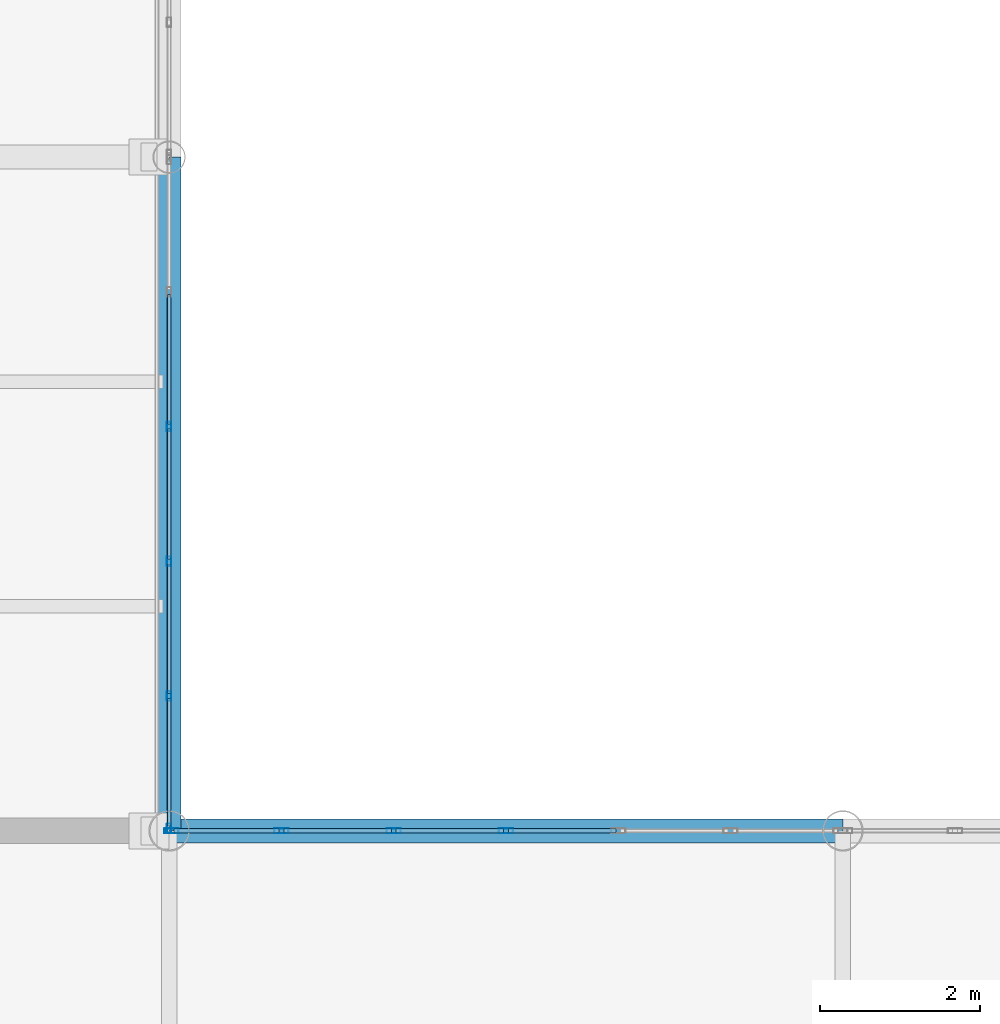
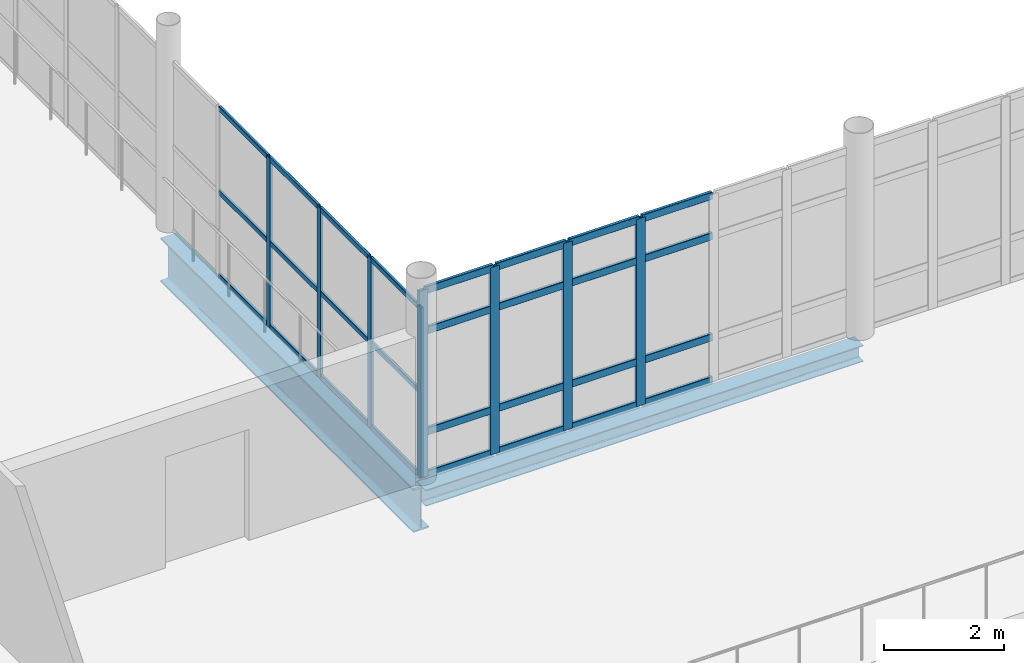
# One storey, part 46 of 163: 36 members, 2 beams, 2 elements without a shape of their own.
"""IFC4 building model written with IfcOpenShell, lengths in metres."""

from ifc_helpers import new_model, si_unit, direction, frame, origin, origin_2d, place, context, subcontext, project, spatial, hollow_rectangle, i_section, extrude, material, layer, layer_set, material_profile, profile_set, type_object, element, aggregate, save


model = new_model("IFC4")

# Units and contexts
model_context = context("Model", 3, precision=1e-05, world=origin(), true_north=direction((0.0, 1.0)))
body_context = subcontext(model_context, "Body", "Model", "MODEL_VIEW")
ifc_project = project(units=[si_unit("LENGTHUNIT", "METRE"), si_unit("AREAUNIT", "SQUARE_METRE"), si_unit("VOLUMEUNIT", "CUBIC_METRE"), si_unit("PLANEANGLEUNIT", "RADIAN"), si_unit("MASSUNIT", "GRAM", prefix="KILO")], contexts=[model_context])

# Site, building, storey
site_placement = place(None, origin())
site = spatial("IfcSite", under=ifc_project, at=site_placement, CompositionType="ELEMENT")
building_placement = place(site_placement, origin())
building = spatial("IfcBuilding", under=site, at=building_placement, Name="Qalvenar Corner Mobility Hub", CompositionType="ELEMENT")
storey_placement = place(building_placement, frame((0.0, 0.0, 4.800048828125)))
storey = spatial("IfcBuildingStorey", under=building, at=storey_placement, Name="L01", CompositionType="ELEMENT", Elevation=4.800048828125)

# Beams
ifc_material_1 = material(Name="Steel S355", Category="steel")
ifc_material_profile_1 = material_profile(ifc_material_1, i_section(OverallWidth=0.300048828125, OverallDepth=0.889892578125, WebThickness=0.01611328125, FlangeThickness=0.030029296875, FilletRadius=0.027099609375, at=origin_2d()), Name="HEA900")
ifc_profile_set_1 = profile_set([ifc_material_profile_1], Name="Steel S355")
beam_type_1 = type_object("IfcBeamType", Name="BM-BRG900", PredefinedType="BEAM", material=ifc_profile_set_1)
beam_1_placement = place(storey_placement, frame((58.800048828125, 33.60009765625, -0.635009765625), z_axis=(0.0, 1.0, 0.0), x_axis=(-1.0, 0.0, 0.0)))
element("IfcBeam", 1, at=beam_1_placement, inside=storey, type_object=beam_type_1, Name="Court Link Bridge Girder BRG-1529", PredefinedType="BEAM", context=body_context, shape_type="SweptSolid", body=[
    extrude(i_section(OverallWidth=0.300048828125, OverallDepth=0.889892578125, WebThickness=0.01611328125, FlangeThickness=0.030029296875, FilletRadius=0.027099609375, at=origin_2d()), origin(), (0.0, 0.0, 1.0), 8.39990234375),
])
ifc_material_profile_2 = material_profile(ifc_material_1, i_section(OverallWidth=0.300048828125, OverallDepth=0.330078125, WebThickness=0.009521484375, FlangeThickness=0.0166015625, FilletRadius=0.027099609375, at=origin_2d()), Name="HEA340")
ifc_profile_set_2 = profile_set([ifc_material_profile_2], Name="Steel S355")
beam_type_2 = type_object("IfcBeamType", Name="BM-SPN340", PredefinedType="SPANDREL", material=ifc_profile_set_2)
beam_2_placement = place(storey_placement, frame((58.800048828125, 33.60009765625, -0.344970703125), z_axis=(1.0, 0.0, 0.0), x_axis=(0.0, 1.0, 0.0)))
element("IfcBeam", 2, at=beam_2_placement, inside=storey, type_object=beam_type_2, Name="Primary Steel Girder GX-0951", PredefinedType="SPANDREL", context=body_context, shape_type="SweptSolid", body=[
    extrude(i_section(OverallWidth=0.300048828125, OverallDepth=0.330078125, WebThickness=0.009521484375, FlangeThickness=0.0166015625, FilletRadius=0.027099609375, at=origin_2d()), origin(), (0.0, 0.0, 1.0), 8.39990234375),
])

# Curtain wall, members
ifc_material_2 = material(Name="Anodised Aluminium and Low-E Glazing", Category="aluminium")
ifc_layer_1 = layer(ifc_material_2, 0.1201171875)
ifc_layer_set_1 = layer_set([ifc_layer_1], Name="Anodised Aluminium and Low-E Glazing")
curtain_wall_type_1 = type_object("IfcCurtainWallType", Name="CW-BRG-84X28", PredefinedType="NOTDEFINED", material=ifc_layer_set_1)
curtain_wall_1_placement = place(storey_placement, origin())
curtain_wall_1 = element("IfcCurtainWall", 3, at=curtain_wall_1_placement, inside=storey, type_object=curtain_wall_type_1, Name="Glazed Curtain Wall CW-BRG-L01-E0", PredefinedType="NOTDEFINED")
ifc_material_3 = material(Name="Anodised Aluminium 6063-T6", Category="aluminium")
ifc_material_profile_3 = material_profile(ifc_material_3, hollow_rectangle(XDim=0.054931640625, YDim=0.1201171875, WallThickness=0.00341796875, InnerFilletRadius=0.00341796875, OuterFilletRadius=0.007080078125, at=origin_2d()), Name="RHS120x55x3.5")
ifc_profile_set_3 = profile_set([ifc_material_profile_3], Name="Anodised Aluminium 6063-T6")
member_type_1 = type_object("IfcMemberType", Name="CW-MUL120", PredefinedType="MULLION", material=ifc_profile_set_3)
member_1_placement = place(storey_placement, frame((58.800048828125, 33.6298828125, 0.0), z_axis=(0.0, 0.0, 1.0), x_axis=(-1.0, 0.0, 0.0)))
member_1 = element("IfcMember", 4, at=member_1_placement, type_object=member_type_1, Name="CW-11 mullion 1", PredefinedType="MULLION", context=body_context, shape_type="SweptSolid", body=[
    extrude(hollow_rectangle(XDim=0.054931640625, YDim=0.1201171875, WallThickness=0.00341796875, InnerFilletRadius=0.00341796875, OuterFilletRadius=0.007080078125, at=origin_2d()), origin(), (0.0, 0.0, 1.0), 3.449951171875),
])
member_2_placement = place(storey_placement, frame((58.800048828125, 35.280029296875, 0.0), z_axis=(0.0, 0.0, 1.0), x_axis=(-1.0, 0.0, 0.0)))
member_2 = element("IfcMember", 5, at=member_2_placement, type_object=member_type_1, Name="CW-11 mullion 2", PredefinedType="MULLION", context=body_context, shape_type="SweptSolid", body=[
    extrude(hollow_rectangle(XDim=0.054931640625, YDim=0.1201171875, WallThickness=0.00341796875, InnerFilletRadius=0.00341796875, OuterFilletRadius=0.007080078125, at=origin_2d()), origin(), (0.0, 0.0, 1.0), 3.449951171875),
])
member_3_placement = place(storey_placement, frame((58.800048828125, 36.9599609375, 0.0), z_axis=(0.0, 0.0, 1.0), x_axis=(-1.0, 0.0, 0.0)))
member_3 = element("IfcMember", 6, at=member_3_placement, type_object=member_type_1, Name="CW-11 mullion 3", PredefinedType="MULLION", context=body_context, shape_type="SweptSolid", body=[
    extrude(hollow_rectangle(XDim=0.054931640625, YDim=0.1201171875, WallThickness=0.00341796875, InnerFilletRadius=0.00341796875, OuterFilletRadius=0.007080078125, at=origin_2d()), origin(), (0.0, 0.0, 1.0), 3.449951171875),
])
member_4_placement = place(storey_placement, frame((58.800048828125, 38.639892578125, 0.0), z_axis=(0.0, 0.0, 1.0), x_axis=(-1.0, 0.0, 0.0)))
member_4 = element("IfcMember", 7, at=member_4_placement, type_object=member_type_1, Name="CW-11 mullion 4", PredefinedType="MULLION", context=body_context, shape_type="SweptSolid", body=[
    extrude(hollow_rectangle(XDim=0.054931640625, YDim=0.1201171875, WallThickness=0.00341796875, InnerFilletRadius=0.00341796875, OuterFilletRadius=0.007080078125, at=origin_2d()), origin(), (0.0, 0.0, 1.0), 3.449951171875),
])

ifc_layer_2 = layer(ifc_material_2, 0.179931640625)
ifc_layer_set_2 = layer_set([ifc_layer_2], Name="Anodised Aluminium and Low-E Glazing")
curtain_wall_type_2 = type_object("IfcCurtainWallType", Name="CW-CONC-84X42", PredefinedType="NOTDEFINED", material=ifc_layer_set_2)
curtain_wall_2_placement = place(storey_placement, origin())
curtain_wall_2 = element("IfcCurtainWall", 8, at=curtain_wall_2_placement, inside=storey, type_object=curtain_wall_type_2, Name="Glazed Curtain Wall CW-V1-L01-N1", PredefinedType="NOTDEFINED")
ifc_material_profile_4 = material_profile(ifc_material_3, hollow_rectangle(XDim=0.06494140625, YDim=0.179931640625, WallThickness=0.00390625, InnerFilletRadius=0.00390625, OuterFilletRadius=0.008056640625, at=origin_2d()), Name="RHS180x65x4")
ifc_profile_set_4 = profile_set([ifc_material_profile_4], Name="Anodised Aluminium 6063-T6")
member_type_2 = type_object("IfcMemberType", Name="CW-MUL180", PredefinedType="MULLION", material=ifc_profile_set_4)
member_5_placement = place(storey_placement, frame((63.0, 33.60009765625, 0.0), z_axis=(0.0, 0.0, 1.0), x_axis=(0.0, -1.0, 0.0)))
member_5 = element("IfcMember", 9, at=member_5_placement, type_object=member_type_2, Name="CW-02 mullion 4", PredefinedType="MULLION", context=body_context, shape_type="SweptSolid", body=[
    extrude(hollow_rectangle(XDim=0.06494140625, YDim=0.179931640625, WallThickness=0.00390625, InnerFilletRadius=0.00390625, OuterFilletRadius=0.008056640625, at=origin_2d()), origin(), (0.0, 0.0, 1.0), 3.800048828125),
])
member_6_placement = place(storey_placement, frame((61.60009765625, 33.60009765625, 0.0), z_axis=(0.0, 0.0, 1.0), x_axis=(0.0, -1.0, 0.0)))
member_6 = element("IfcMember", 10, at=member_6_placement, type_object=member_type_2, Name="CW-02 mullion 5", PredefinedType="MULLION", context=body_context, shape_type="SweptSolid", body=[
    extrude(hollow_rectangle(XDim=0.06494140625, YDim=0.179931640625, WallThickness=0.00390625, InnerFilletRadius=0.00390625, OuterFilletRadius=0.008056640625, at=origin_2d()), origin(), (0.0, 0.0, 1.0), 3.800048828125),
])
member_7_placement = place(storey_placement, frame((60.199951171875, 33.60009765625, 0.0), z_axis=(0.0, 0.0, 1.0), x_axis=(0.0, -1.0, 0.0)))
member_7 = element("IfcMember", 11, at=member_7_placement, type_object=member_type_2, Name="CW-02 mullion 6", PredefinedType="MULLION", context=body_context, shape_type="SweptSolid", body=[
    extrude(hollow_rectangle(XDim=0.06494140625, YDim=0.179931640625, WallThickness=0.00390625, InnerFilletRadius=0.00390625, OuterFilletRadius=0.008056640625, at=origin_2d()), origin(), (0.0, 0.0, 1.0), 3.800048828125),
])
member_8_placement = place(storey_placement, frame((58.830078125, 33.60009765625, 0.0), z_axis=(0.0, 0.0, 1.0), x_axis=(0.0, -1.0, 0.0)))
member_8 = element("IfcMember", 12, at=member_8_placement, type_object=member_type_2, Name="CW-02 mullion 7", PredefinedType="MULLION", context=body_context, shape_type="SweptSolid", body=[
    extrude(hollow_rectangle(XDim=0.06494140625, YDim=0.179931640625, WallThickness=0.00390625, InnerFilletRadius=0.00390625, OuterFilletRadius=0.008056640625, at=origin_2d()), origin(), (0.0, 0.0, 1.0), 3.800048828125),
])

# Member
ifc_material_profile_5 = material_profile(ifc_material_3, hollow_rectangle(XDim=0.050048828125, YDim=0.10009765625, WallThickness=0.0029296875, InnerFilletRadius=0.0029296875, OuterFilletRadius=0.006103515625, at=origin_2d()), Name="RHS100x50x3")
ifc_profile_set_5 = profile_set([ifc_material_profile_5], Name="Anodised Aluminium 6063-T6")
member_type_3 = type_object("IfcMemberType", Name="CW-TRN100", PredefinedType="USERDEFINED", material=ifc_profile_set_5)
member_9_placement = place(storey_placement, frame((58.800048828125, 33.659912109375, 0.02734375), z_axis=(0.0, 1.0, 0.0), x_axis=(-1.0, 0.0, 0.0)))
member_9 = element("IfcMember", 13, at=member_9_placement, type_object=member_type_3, Name="CW-11 transom 1.1", ObjectType="TRANSOM", PredefinedType="USERDEFINED", context=body_context, shape_type="SweptSolid", body=[
    extrude(hollow_rectangle(XDim=0.050048828125, YDim=0.10009765625, WallThickness=0.0029296875, InnerFilletRadius=0.0029296875, OuterFilletRadius=0.006103515625, at=origin_2d()), origin(), (0.0, 0.0, 1.0), 1.590087890625),
])

member_10_placement = place(storey_placement, frame((58.800048828125, 33.659912109375, 1.724853515625), z_axis=(0.0, 1.0, 0.0), x_axis=(-1.0, 0.0, 0.0)))
member_10 = element("IfcMember", 14, at=member_10_placement, type_object=member_type_3, Name="CW-11 transom 1.2", ObjectType="TRANSOM", PredefinedType="USERDEFINED", context=body_context, shape_type="SweptSolid", body=[
    extrude(hollow_rectangle(XDim=0.050048828125, YDim=0.10009765625, WallThickness=0.0029296875, InnerFilletRadius=0.0029296875, OuterFilletRadius=0.006103515625, at=origin_2d()), origin(), (0.0, 0.0, 1.0), 1.590087890625),
])

member_11_placement = place(storey_placement, frame((58.800048828125, 33.659912109375, 3.42236328125), z_axis=(0.0, 1.0, 0.0), x_axis=(-1.0, 0.0, 0.0)))
member_11 = element("IfcMember", 15, at=member_11_placement, type_object=member_type_3, Name="CW-11 transom 1.3", ObjectType="TRANSOM", PredefinedType="USERDEFINED", context=body_context, shape_type="SweptSolid", body=[
    extrude(hollow_rectangle(XDim=0.050048828125, YDim=0.10009765625, WallThickness=0.0029296875, InnerFilletRadius=0.0029296875, OuterFilletRadius=0.006103515625, at=origin_2d()), origin(), (0.0, 0.0, 1.0), 1.590087890625),
])

member_12_placement = place(storey_placement, frame((58.800048828125, 35.31005859375, 0.02734375), z_axis=(0.0, 1.0, 0.0), x_axis=(-1.0, 0.0, 0.0)))
member_12 = element("IfcMember", 16, at=member_12_placement, type_object=member_type_3, Name="CW-11 transom 2.1", ObjectType="TRANSOM", PredefinedType="USERDEFINED", context=body_context, shape_type="SweptSolid", body=[
    extrude(hollow_rectangle(XDim=0.050048828125, YDim=0.10009765625, WallThickness=0.0029296875, InnerFilletRadius=0.0029296875, OuterFilletRadius=0.006103515625, at=origin_2d()), origin(), (0.0, 0.0, 1.0), 1.619873046875),
])

member_13_placement = place(storey_placement, frame((58.800048828125, 35.31005859375, 1.724853515625), z_axis=(0.0, 1.0, 0.0), x_axis=(-1.0, 0.0, 0.0)))
member_13 = element("IfcMember", 17, at=member_13_placement, type_object=member_type_3, Name="CW-11 transom 2.2", ObjectType="TRANSOM", PredefinedType="USERDEFINED", context=body_context, shape_type="SweptSolid", body=[
    extrude(hollow_rectangle(XDim=0.050048828125, YDim=0.10009765625, WallThickness=0.0029296875, InnerFilletRadius=0.0029296875, OuterFilletRadius=0.006103515625, at=origin_2d()), origin(), (0.0, 0.0, 1.0), 1.619873046875),
])

member_14_placement = place(storey_placement, frame((58.800048828125, 35.31005859375, 3.42236328125), z_axis=(0.0, 1.0, 0.0), x_axis=(-1.0, 0.0, 0.0)))
member_14 = element("IfcMember", 18, at=member_14_placement, type_object=member_type_3, Name="CW-11 transom 2.3", ObjectType="TRANSOM", PredefinedType="USERDEFINED", context=body_context, shape_type="SweptSolid", body=[
    extrude(hollow_rectangle(XDim=0.050048828125, YDim=0.10009765625, WallThickness=0.0029296875, InnerFilletRadius=0.0029296875, OuterFilletRadius=0.006103515625, at=origin_2d()), origin(), (0.0, 0.0, 1.0), 1.619873046875),
])

member_15_placement = place(storey_placement, frame((58.800048828125, 36.989990234375, 0.02734375), z_axis=(0.0, 1.0, 0.0), x_axis=(-1.0, 0.0, 0.0)))
member_15 = element("IfcMember", 19, at=member_15_placement, type_object=member_type_3, Name="CW-11 transom 3.1", ObjectType="TRANSOM", PredefinedType="USERDEFINED", context=body_context, shape_type="SweptSolid", body=[
    extrude(hollow_rectangle(XDim=0.050048828125, YDim=0.10009765625, WallThickness=0.0029296875, InnerFilletRadius=0.0029296875, OuterFilletRadius=0.006103515625, at=origin_2d()), origin(), (0.0, 0.0, 1.0), 1.6201171875),
])

member_16_placement = place(storey_placement, frame((58.800048828125, 36.989990234375, 1.724853515625), z_axis=(0.0, 1.0, 0.0), x_axis=(-1.0, 0.0, 0.0)))
member_16 = element("IfcMember", 20, at=member_16_placement, type_object=member_type_3, Name="CW-11 transom 3.2", ObjectType="TRANSOM", PredefinedType="USERDEFINED", context=body_context, shape_type="SweptSolid", body=[
    extrude(hollow_rectangle(XDim=0.050048828125, YDim=0.10009765625, WallThickness=0.0029296875, InnerFilletRadius=0.0029296875, OuterFilletRadius=0.006103515625, at=origin_2d()), origin(), (0.0, 0.0, 1.0), 1.6201171875),
])

member_17_placement = place(storey_placement, frame((58.800048828125, 36.989990234375, 3.42236328125), z_axis=(0.0, 1.0, 0.0), x_axis=(-1.0, 0.0, 0.0)))
member_17 = element("IfcMember", 21, at=member_17_placement, type_object=member_type_3, Name="CW-11 transom 3.3", ObjectType="TRANSOM", PredefinedType="USERDEFINED", context=body_context, shape_type="SweptSolid", body=[
    extrude(hollow_rectangle(XDim=0.050048828125, YDim=0.10009765625, WallThickness=0.0029296875, InnerFilletRadius=0.0029296875, OuterFilletRadius=0.006103515625, at=origin_2d()), origin(), (0.0, 0.0, 1.0), 1.6201171875),
])

member_18_placement = place(storey_placement, frame((58.800048828125, 38.669921875, 0.02734375), z_axis=(0.0, 1.0, 0.0), x_axis=(-1.0, 0.0, 0.0)))
member_18 = element("IfcMember", 22, at=member_18_placement, type_object=member_type_3, Name="CW-11 transom 4.1", ObjectType="TRANSOM", PredefinedType="USERDEFINED", context=body_context, shape_type="SweptSolid", body=[
    extrude(hollow_rectangle(XDim=0.050048828125, YDim=0.10009765625, WallThickness=0.0029296875, InnerFilletRadius=0.0029296875, OuterFilletRadius=0.006103515625, at=origin_2d()), origin(), (0.0, 0.0, 1.0), 1.6201171875),
])

member_19_placement = place(storey_placement, frame((58.800048828125, 38.669921875, 1.724853515625), z_axis=(0.0, 1.0, 0.0), x_axis=(-1.0, 0.0, 0.0)))
member_19 = element("IfcMember", 23, at=member_19_placement, type_object=member_type_3, Name="CW-11 transom 4.2", ObjectType="TRANSOM", PredefinedType="USERDEFINED", context=body_context, shape_type="SweptSolid", body=[
    extrude(hollow_rectangle(XDim=0.050048828125, YDim=0.10009765625, WallThickness=0.0029296875, InnerFilletRadius=0.0029296875, OuterFilletRadius=0.006103515625, at=origin_2d()), origin(), (0.0, 0.0, 1.0), 1.6201171875),
])

member_20_placement = place(storey_placement, frame((58.800048828125, 38.669921875, 3.42236328125), z_axis=(0.0, 1.0, 0.0), x_axis=(-1.0, 0.0, 0.0)))
member_20 = element("IfcMember", 24, at=member_20_placement, type_object=member_type_3, Name="CW-11 transom 4.3", ObjectType="TRANSOM", PredefinedType="USERDEFINED", context=body_context, shape_type="SweptSolid", body=[
    extrude(hollow_rectangle(XDim=0.050048828125, YDim=0.10009765625, WallThickness=0.0029296875, InnerFilletRadius=0.0029296875, OuterFilletRadius=0.006103515625, at=origin_2d()), origin(), (0.0, 0.0, 1.0), 1.6201171875),
])

aggregate(curtain_wall_1, [member_1, member_2, member_3, member_4, member_9, member_10, member_11, member_12, member_13, member_14, member_15, member_16, member_17, member_18, member_19, member_20])

ifc_material_profile_6 = material_profile(ifc_material_3, hollow_rectangle(XDim=0.06005859375, YDim=0.14990234375, WallThickness=0.00341796875, InnerFilletRadius=0.00341796875, OuterFilletRadius=0.007080078125, at=origin_2d()), Name="RHS150x60x3.5")
ifc_profile_set_6 = profile_set([ifc_material_profile_6], Name="Anodised Aluminium 6063-T6")
member_type_4 = type_object("IfcMemberType", Name="CW-TRN150", PredefinedType="USERDEFINED", material=ifc_profile_set_6)
member_21_placement = place(storey_placement, frame((64.3701171875, 33.60009765625, 0.02734375), z_axis=(-1.0, 0.0, 0.0), x_axis=(0.0, -1.0, 0.0)))
member_21 = element("IfcMember", 25, at=member_21_placement, type_object=member_type_4, Name="CW-02 transom 3.1", ObjectType="TRANSOM", PredefinedType="USERDEFINED", context=body_context, shape_type="SweptSolid", body=[
    extrude(hollow_rectangle(XDim=0.06005859375, YDim=0.14990234375, WallThickness=0.00341796875, InnerFilletRadius=0.00341796875, OuterFilletRadius=0.007080078125, at=origin_2d()), origin(), (0.0, 0.0, 1.0), 1.340087890625),
])

member_22_placement = place(storey_placement, frame((64.3701171875, 33.60009765625, 0.89990234375), z_axis=(-1.0, 0.0, 0.0), x_axis=(0.0, -1.0, 0.0)))
member_22 = element("IfcMember", 26, at=member_22_placement, type_object=member_type_4, Name="CW-02 transom 3.2", ObjectType="TRANSOM", PredefinedType="USERDEFINED", context=body_context, shape_type="SweptSolid", body=[
    extrude(hollow_rectangle(XDim=0.06005859375, YDim=0.14990234375, WallThickness=0.00341796875, InnerFilletRadius=0.00341796875, OuterFilletRadius=0.007080078125, at=origin_2d()), origin(), (0.0, 0.0, 1.0), 1.340087890625),
])

member_23_placement = place(storey_placement, frame((64.3701171875, 33.60009765625, 2.949951171875), z_axis=(-1.0, 0.0, 0.0), x_axis=(0.0, -1.0, 0.0)))
member_23 = element("IfcMember", 27, at=member_23_placement, type_object=member_type_4, Name="CW-02 transom 3.3", ObjectType="TRANSOM", PredefinedType="USERDEFINED", context=body_context, shape_type="SweptSolid", body=[
    extrude(hollow_rectangle(XDim=0.06005859375, YDim=0.14990234375, WallThickness=0.00341796875, InnerFilletRadius=0.00341796875, OuterFilletRadius=0.007080078125, at=origin_2d()), origin(), (0.0, 0.0, 1.0), 1.340087890625),
])

member_24_placement = place(storey_placement, frame((64.3701171875, 33.60009765625, 3.7724609375), z_axis=(-1.0, 0.0, 0.0), x_axis=(0.0, -1.0, 0.0)))
member_24 = element("IfcMember", 28, at=member_24_placement, type_object=member_type_4, Name="CW-02 transom 3.4", ObjectType="TRANSOM", PredefinedType="USERDEFINED", context=body_context, shape_type="SweptSolid", body=[
    extrude(hollow_rectangle(XDim=0.06005859375, YDim=0.14990234375, WallThickness=0.00341796875, InnerFilletRadius=0.00341796875, OuterFilletRadius=0.007080078125, at=origin_2d()), origin(), (0.0, 0.0, 1.0), 1.340087890625),
])

member_25_placement = place(storey_placement, frame((62.969970703125, 33.60009765625, 0.02734375), z_axis=(-1.0, 0.0, 0.0), x_axis=(0.0, -1.0, 0.0)))
member_25 = element("IfcMember", 29, at=member_25_placement, type_object=member_type_4, Name="CW-02 transom 4.1", ObjectType="TRANSOM", PredefinedType="USERDEFINED", context=body_context, shape_type="SweptSolid", body=[
    extrude(hollow_rectangle(XDim=0.06005859375, YDim=0.14990234375, WallThickness=0.00341796875, InnerFilletRadius=0.00341796875, OuterFilletRadius=0.007080078125, at=origin_2d()), origin(), (0.0, 0.0, 1.0), 1.340087890625),
])

member_26_placement = place(storey_placement, frame((62.969970703125, 33.60009765625, 0.89990234375), z_axis=(-1.0, 0.0, 0.0), x_axis=(0.0, -1.0, 0.0)))
member_26 = element("IfcMember", 30, at=member_26_placement, type_object=member_type_4, Name="CW-02 transom 4.2", ObjectType="TRANSOM", PredefinedType="USERDEFINED", context=body_context, shape_type="SweptSolid", body=[
    extrude(hollow_rectangle(XDim=0.06005859375, YDim=0.14990234375, WallThickness=0.00341796875, InnerFilletRadius=0.00341796875, OuterFilletRadius=0.007080078125, at=origin_2d()), origin(), (0.0, 0.0, 1.0), 1.340087890625),
])

member_27_placement = place(storey_placement, frame((62.969970703125, 33.60009765625, 2.949951171875), z_axis=(-1.0, 0.0, 0.0), x_axis=(0.0, -1.0, 0.0)))
member_27 = element("IfcMember", 31, at=member_27_placement, type_object=member_type_4, Name="CW-02 transom 4.3", ObjectType="TRANSOM", PredefinedType="USERDEFINED", context=body_context, shape_type="SweptSolid", body=[
    extrude(hollow_rectangle(XDim=0.06005859375, YDim=0.14990234375, WallThickness=0.00341796875, InnerFilletRadius=0.00341796875, OuterFilletRadius=0.007080078125, at=origin_2d()), origin(), (0.0, 0.0, 1.0), 1.340087890625),
])

member_28_placement = place(storey_placement, frame((62.969970703125, 33.60009765625, 3.7724609375), z_axis=(-1.0, 0.0, 0.0), x_axis=(0.0, -1.0, 0.0)))
member_28 = element("IfcMember", 32, at=member_28_placement, type_object=member_type_4, Name="CW-02 transom 4.4", ObjectType="TRANSOM", PredefinedType="USERDEFINED", context=body_context, shape_type="SweptSolid", body=[
    extrude(hollow_rectangle(XDim=0.06005859375, YDim=0.14990234375, WallThickness=0.00341796875, InnerFilletRadius=0.00341796875, OuterFilletRadius=0.007080078125, at=origin_2d()), origin(), (0.0, 0.0, 1.0), 1.340087890625),
])

member_29_placement = place(storey_placement, frame((61.570068359375, 33.60009765625, 0.02734375), z_axis=(-1.0, 0.0, 0.0), x_axis=(0.0, -1.0, 0.0)))
member_29 = element("IfcMember", 33, at=member_29_placement, type_object=member_type_4, Name="CW-02 transom 5.1", ObjectType="TRANSOM", PredefinedType="USERDEFINED", context=body_context, shape_type="SweptSolid", body=[
    extrude(hollow_rectangle(XDim=0.06005859375, YDim=0.14990234375, WallThickness=0.00341796875, InnerFilletRadius=0.00341796875, OuterFilletRadius=0.007080078125, at=origin_2d()), origin(), (0.0, 0.0, 1.0), 1.340087890625),
])

member_30_placement = place(storey_placement, frame((61.570068359375, 33.60009765625, 0.89990234375), z_axis=(-1.0, 0.0, 0.0), x_axis=(0.0, -1.0, 0.0)))
member_30 = element("IfcMember", 34, at=member_30_placement, type_object=member_type_4, Name="CW-02 transom 5.2", ObjectType="TRANSOM", PredefinedType="USERDEFINED", context=body_context, shape_type="SweptSolid", body=[
    extrude(hollow_rectangle(XDim=0.06005859375, YDim=0.14990234375, WallThickness=0.00341796875, InnerFilletRadius=0.00341796875, OuterFilletRadius=0.007080078125, at=origin_2d()), origin(), (0.0, 0.0, 1.0), 1.340087890625),
])

member_31_placement = place(storey_placement, frame((61.570068359375, 33.60009765625, 2.949951171875), z_axis=(-1.0, 0.0, 0.0), x_axis=(0.0, -1.0, 0.0)))
member_31 = element("IfcMember", 35, at=member_31_placement, type_object=member_type_4, Name="CW-02 transom 5.3", ObjectType="TRANSOM", PredefinedType="USERDEFINED", context=body_context, shape_type="SweptSolid", body=[
    extrude(hollow_rectangle(XDim=0.06005859375, YDim=0.14990234375, WallThickness=0.00341796875, InnerFilletRadius=0.00341796875, OuterFilletRadius=0.007080078125, at=origin_2d()), origin(), (0.0, 0.0, 1.0), 1.340087890625),
])

member_32_placement = place(storey_placement, frame((61.570068359375, 33.60009765625, 3.7724609375), z_axis=(-1.0, 0.0, 0.0), x_axis=(0.0, -1.0, 0.0)))
member_32 = element("IfcMember", 36, at=member_32_placement, type_object=member_type_4, Name="CW-02 transom 5.4", ObjectType="TRANSOM", PredefinedType="USERDEFINED", context=body_context, shape_type="SweptSolid", body=[
    extrude(hollow_rectangle(XDim=0.06005859375, YDim=0.14990234375, WallThickness=0.00341796875, InnerFilletRadius=0.00341796875, OuterFilletRadius=0.007080078125, at=origin_2d()), origin(), (0.0, 0.0, 1.0), 1.340087890625),
])

member_33_placement = place(storey_placement, frame((60.169921875, 33.60009765625, 0.02734375), z_axis=(-1.0, 0.0, 0.0), x_axis=(0.0, -1.0, 0.0)))
member_33 = element("IfcMember", 37, at=member_33_placement, type_object=member_type_4, Name="CW-02 transom 6.1", ObjectType="TRANSOM", PredefinedType="USERDEFINED", context=body_context, shape_type="SweptSolid", body=[
    extrude(hollow_rectangle(XDim=0.06005859375, YDim=0.14990234375, WallThickness=0.00341796875, InnerFilletRadius=0.00341796875, OuterFilletRadius=0.007080078125, at=origin_2d()), origin(), (0.0, 0.0, 1.0), 1.309814453125),
])

member_34_placement = place(storey_placement, frame((60.169921875, 33.60009765625, 0.89990234375), z_axis=(-1.0, 0.0, 0.0), x_axis=(0.0, -1.0, 0.0)))
member_34 = element("IfcMember", 38, at=member_34_placement, type_object=member_type_4, Name="CW-02 transom 6.2", ObjectType="TRANSOM", PredefinedType="USERDEFINED", context=body_context, shape_type="SweptSolid", body=[
    extrude(hollow_rectangle(XDim=0.06005859375, YDim=0.14990234375, WallThickness=0.00341796875, InnerFilletRadius=0.00341796875, OuterFilletRadius=0.007080078125, at=origin_2d()), origin(), (0.0, 0.0, 1.0), 1.309814453125),
])

member_35_placement = place(storey_placement, frame((60.169921875, 33.60009765625, 2.949951171875), z_axis=(-1.0, 0.0, 0.0), x_axis=(0.0, -1.0, 0.0)))
member_35 = element("IfcMember", 39, at=member_35_placement, type_object=member_type_4, Name="CW-02 transom 6.3", ObjectType="TRANSOM", PredefinedType="USERDEFINED", context=body_context, shape_type="SweptSolid", body=[
    extrude(hollow_rectangle(XDim=0.06005859375, YDim=0.14990234375, WallThickness=0.00341796875, InnerFilletRadius=0.00341796875, OuterFilletRadius=0.007080078125, at=origin_2d()), origin(), (0.0, 0.0, 1.0), 1.309814453125),
])

member_36_placement = place(storey_placement, frame((60.169921875, 33.60009765625, 3.7724609375), z_axis=(-1.0, 0.0, 0.0), x_axis=(0.0, -1.0, 0.0)))
member_36 = element("IfcMember", 40, at=member_36_placement, type_object=member_type_4, Name="CW-02 transom 6.4", ObjectType="TRANSOM", PredefinedType="USERDEFINED", context=body_context, shape_type="SweptSolid", body=[
    extrude(hollow_rectangle(XDim=0.06005859375, YDim=0.14990234375, WallThickness=0.00341796875, InnerFilletRadius=0.00341796875, OuterFilletRadius=0.007080078125, at=origin_2d()), origin(), (0.0, 0.0, 1.0), 1.309814453125),
])

aggregate(curtain_wall_2, [member_5, member_6, member_7, member_8, member_21, member_22, member_23, member_24, member_25, member_26, member_27, member_28, member_29, member_30, member_31, member_32, member_33, member_34, member_35, member_36])

save(model, "model.ifc")
